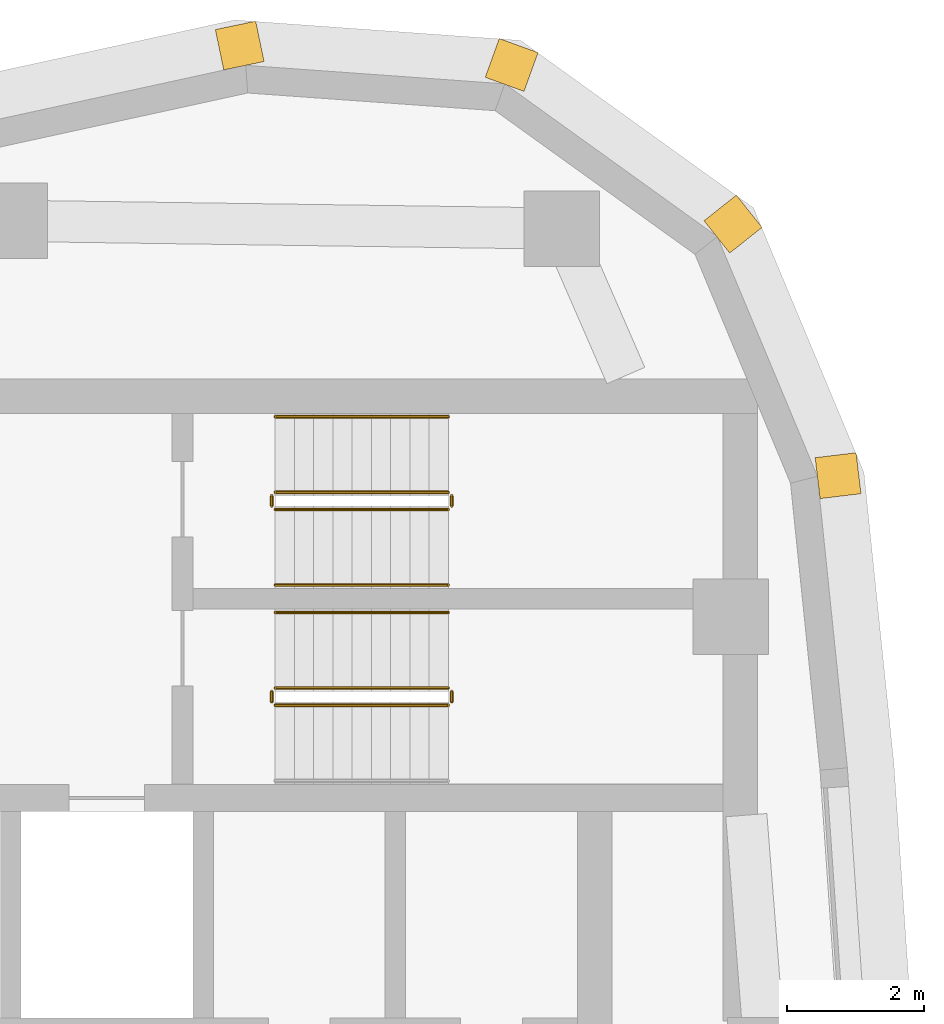
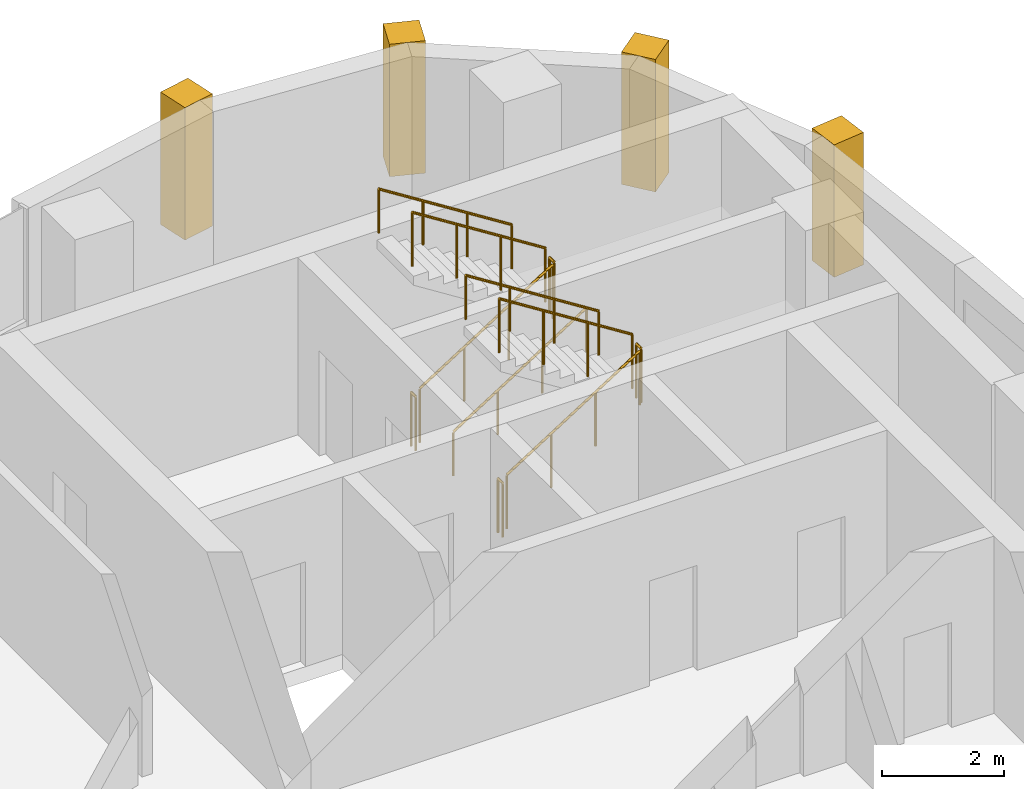
# One storey, part 13 of 13: 11 railings, 4 coverings.
"""IFC4 building model written with IfcOpenShell, lengths in metres."""

from ifc_helpers import new_model, si_unit, direction, frame, frame_2d, origin, origin_2d, place, context, subcontext, project, spatial, rectangle, circle, extrude, material, layer, layer_set, type_object, element, save


model = new_model("IFC4")

# Units and contexts
model_context = context("Model", 3, precision=1e-05, world=origin(), true_north=direction((0.0, 1.0)))
body_context = subcontext(model_context, "Body", "Model", "MODEL_VIEW")
ifc_project = project(units=[si_unit("LENGTHUNIT", "METRE"), si_unit("AREAUNIT", "SQUARE_METRE"), si_unit("VOLUMEUNIT", "CUBIC_METRE"), si_unit("PLANEANGLEUNIT", "RADIAN"), si_unit("MASSUNIT", "GRAM", prefix="KILO")], contexts=[model_context])

# Site, building, storey
site_placement = place(None, origin())
site = spatial("IfcSite", under=ifc_project, at=site_placement, CompositionType="ELEMENT")
building_placement = place(site_placement, origin())
building = spatial("IfcBuilding", under=site, at=building_placement, Name="Ostrand Prow Hotel Tower", CompositionType="ELEMENT")
storey_placement = place(building_placement, frame((0.0, 0.0, 282.10009765625)))
storey = spatial("IfcBuildingStorey", under=building, at=storey_placement, Name="L71", CompositionType="ELEMENT", Elevation=282.10009765625)

# Coverings
ifc_material_1 = material(Name="Limestone cladding", Category="masonry")
ifc_layer = layer(ifc_material_1, 0.60009765625)
ifc_layer_set = layer_set([ifc_layer], Name="Limestone cladding")
covering_type = type_object("IfcCoveringType", Name="Precast stone prow rib 600x600", PredefinedType="CLADDING", material=ifc_layer_set)
covering_1_placement = place(storey_placement, frame((65.0966796875, 14.806396484375, 0.599853515625), z_axis=(0.0, 0.0, 1.0), x_axis=(0.992867207971, 0.119225447515, 0.0)))
element("IfcCovering", 1, at=covering_1_placement, inside=storey, type_object=covering_type, Name="Stone corner rib 12a", PredefinedType="CLADDING", context=body_context, shape_type="SweptSolid", body=[
    extrude(rectangle(XDim=0.60009765625, YDim=0.60009765625, at=frame_2d((0.300048828125, 0.0))), origin(), (0.0, 0.0, 1.0), 2.650146484375),
])
for number, where, z_axis, x_axis, name in (
    (2, (63.630615234375, 18.318359375, 0.599853515625), (0.0, 0.0, 1.0), (0.782731736812, 0.622359243674, 0.0), "Stone corner rib 13a"),
    (3, (60.540283203125, 20.539794921875, 0.599853515625), (0.0, 0.0, 1.0), (0.340664419472, 0.940184956966, 0.0), "Stone corner rib 14a"),
):
    element("IfcCovering", number, at=place(storey_placement, frame(where, z_axis=z_axis, x_axis=x_axis)), inside=storey, type_object=covering_type, Name=name, PredefinedType="CLADDING", context=body_context, shape_type="SweptSolid", body=[
        extrude(rectangle(XDim=0.599853515625, YDim=0.60009765625, at=frame_2d((0.2998046875, 0.0))), origin(), (0.0, 0.0, 1.0), 2.650146484375),
    ])
covering_2_placement = place(storey_placement, frame((56.744384765625, 20.810546875, 0.599853515625), z_axis=(0.0, 0.0, 1.0), x_axis=(-0.203385687349, 0.979098698897, 0.0)))
element("IfcCovering", 4, at=covering_2_placement, inside=storey, type_object=covering_type, Name="Stone corner rib 14b", PredefinedType="CLADDING", context=body_context, shape_type="SweptSolid", body=[
    extrude(rectangle(XDim=0.60009765625, YDim=0.60009765625, at=frame_2d((0.300048828125, 0.0))), origin(), (0.0, 0.0, 1.0), 2.650146484375),
])

# Railings
ifc_material_2 = material(Name="Painted steel", Category="steel")
railing_type_1 = type_object("IfcRailingType", Name="Stair guard 1100", PredefinedType="GUARDRAIL", material=ifc_material_2)
railing_1_placement = place(storey_placement, frame((57.199951171875, 11.5, 0.177490234375)))
element("IfcRailing", 5, at=railing_1_placement, inside=storey, type_object=railing_type_1, Name="L71 ST1C stair guard 1", PredefinedType="GUARDRAIL", context=body_context, shape_type="SweptSolid", body=[
    extrude(circle(Radius=0.02392578125, at=origin_2d()), frame((0.0, 0.0, 1.076171875), z_axis=(0.84460694969, 0.0, 0.535386869969), x_axis=(0.0, 1.0, 0.0)), (0.0, 0.0, 1.0), 2.983642578125),
    extrude(circle(Radius=0.02099609375, at=origin_2d()), origin(), (0.0, 0.0, 1.0), 1.052001953125),
    extrude(circle(Radius=0.02099609375, at=origin_2d()), frame((0.840087890625, 0.0, 0.532470703125)), (0.0, 0.0, 1.0), 1.052001953125),
    extrude(circle(Radius=0.02099609375, at=origin_2d()), frame((1.679931640625, 0.0, 1.06494140625)), (0.0, 0.0, 1.0), 1.052001953125),
    extrude(circle(Radius=0.02099609375, at=origin_2d()), frame((2.52001953125, 0.0, 1.597412109375)), (0.0, 0.0, 1.0), 1.052001953125),
])
railing_2_placement = place(storey_placement, frame((59.77001953125, 11.550048828125, 1.77490234375)))
element("IfcRailing", 6, at=railing_2_placement, inside=storey, type_object=railing_type_1, Name="L71 ST1C stair guard 2", PredefinedType="GUARDRAIL", context=body_context, shape_type="SweptSolid", body=[
    extrude(circle(Radius=0.02392578125, at=origin_2d()), frame((0.0, 0.0, 1.076171875), z_axis=(0.0, 1.0, 0.0), x_axis=(-1.0, 0.0, 0.0)), (0.0, 0.0, 1.0), 0.14990234375),
    extrude(circle(Radius=0.02099609375, at=origin_2d()), origin(), (0.0, 0.0, 1.0), 1.052001953125),
    extrude(circle(Radius=0.02099609375, at=origin_2d()), frame((0.0, 0.14990234375, 0.0)), (0.0, 0.0, 1.0), 1.052001953125),
])
railing_3_placement = place(storey_placement, frame((59.719970703125, 11.75, 1.952392578125)))
element("IfcRailing", 7, at=railing_3_placement, inside=storey, type_object=railing_type_1, Name="L71 ST1C stair guard 3", PredefinedType="GUARDRAIL", context=body_context, shape_type="SweptSolid", body=[
    extrude(circle(Radius=0.02392578125, at=origin_2d()), frame((0.0, 0.0, 1.076171875), z_axis=(-0.84460694969, 0.0, 0.535386869969), x_axis=(0.0, -1.0, 0.0)), (0.0, 0.0, 1.0), 2.983642578125),
    extrude(circle(Radius=0.02099609375, at=origin_2d()), origin(), (0.0, 0.0, 1.0), 1.052001953125),
    extrude(circle(Radius=0.02099609375, at=origin_2d()), frame((-0.840087890625, 0.0, 0.532470703125)), (0.0, 0.0, 1.0), 1.052001953125),
    extrude(circle(Radius=0.02099609375, at=origin_2d()), frame((-1.679931640625, 0.0, 1.06494140625)), (0.0, 0.0, 1.0), 1.052001953125),
    extrude(circle(Radius=0.02099609375, at=origin_2d()), frame((-2.52001953125, 0.0, 1.597412109375)), (0.0, 0.0, 1.0), 1.052001953125),
])
railing_4_placement = place(storey_placement, frame((57.14990234375, 11.550048828125, 0.0)))
element("IfcRailing", 8, at=railing_4_placement, inside=storey, type_object=railing_type_1, Name="L71 ST1C stair guard 4", PredefinedType="GUARDRAIL", context=body_context, shape_type="SweptSolid", body=[
    extrude(circle(Radius=0.02392578125, at=origin_2d()), frame((0.0, 0.0, 1.076171875), z_axis=(0.0, 1.0, 0.0), x_axis=(-1.0, 0.0, 0.0)), (0.0, 0.0, 1.0), 0.14990234375),
    extrude(circle(Radius=0.02099609375, at=origin_2d()), origin(), (0.0, 0.0, 1.0), 1.052001953125),
    extrude(circle(Radius=0.02099609375, at=origin_2d()), frame((0.0, 0.14990234375, 0.0)), (0.0, 0.0, 1.0), 1.052001953125),
])
railing_5_placement = place(storey_placement, frame((57.199951171875, 14.35009765625, 0.177490234375)))
element("IfcRailing", 9, at=railing_5_placement, inside=storey, type_object=railing_type_1, Name="L71 ST3C stair guard 1", PredefinedType="GUARDRAIL", context=body_context, shape_type="SweptSolid", body=[
    extrude(circle(Radius=0.02392578125, at=origin_2d()), frame((0.0, 0.0, 1.076171875), z_axis=(0.84460694969, 0.0, 0.535386869969), x_axis=(0.0, 1.0, 0.0)), (0.0, 0.0, 1.0), 2.983642578125),
    extrude(circle(Radius=0.02099609375, at=origin_2d()), origin(), (0.0, 0.0, 1.0), 1.052001953125),
    extrude(circle(Radius=0.02099609375, at=origin_2d()), frame((0.840087890625, 0.0, 0.532470703125)), (0.0, 0.0, 1.0), 1.052001953125),
    extrude(circle(Radius=0.02099609375, at=origin_2d()), frame((1.679931640625, 0.0, 1.06494140625)), (0.0, 0.0, 1.0), 1.052001953125),
    extrude(circle(Radius=0.02099609375, at=origin_2d()), frame((2.52001953125, 0.0, 1.597412109375)), (0.0, 0.0, 1.0), 1.052001953125),
])
railing_6_placement = place(storey_placement, frame((59.77001953125, 14.39990234375, 1.77490234375)))
element("IfcRailing", 10, at=railing_6_placement, inside=storey, type_object=railing_type_1, Name="L71 ST3C stair guard 2", PredefinedType="GUARDRAIL", context=body_context, shape_type="SweptSolid", body=[
    extrude(circle(Radius=0.02392578125, at=origin_2d()), frame((0.0, 0.0, 1.076171875), z_axis=(0.0, 1.0, 0.0), x_axis=(-1.0, 0.0, 0.0)), (0.0, 0.0, 1.0), 0.150146484375),
    extrude(circle(Radius=0.02099609375, at=origin_2d()), origin(), (0.0, 0.0, 1.0), 1.052001953125),
    extrude(circle(Radius=0.02099609375, at=origin_2d()), frame((0.0, 0.150146484375, 0.0)), (0.0, 0.0, 1.0), 1.052001953125),
])
railing_7_placement = place(storey_placement, frame((59.719970703125, 14.60009765625, 1.952392578125)))
element("IfcRailing", 11, at=railing_7_placement, inside=storey, type_object=railing_type_1, Name="L71 ST3C stair guard 3", PredefinedType="GUARDRAIL", context=body_context, shape_type="SweptSolid", body=[
    extrude(circle(Radius=0.02392578125, at=origin_2d()), frame((0.0, 0.0, 1.076171875), z_axis=(-0.84460694969, 0.0, 0.535386869969), x_axis=(0.0, -1.0, 0.0)), (0.0, 0.0, 1.0), 2.983642578125),
    extrude(circle(Radius=0.02099609375, at=origin_2d()), origin(), (0.0, 0.0, 1.0), 1.052001953125),
    extrude(circle(Radius=0.02099609375, at=origin_2d()), frame((-0.840087890625, 0.0, 0.532470703125)), (0.0, 0.0, 1.0), 1.052001953125),
    extrude(circle(Radius=0.02099609375, at=origin_2d()), frame((-1.679931640625, 0.0, 1.06494140625)), (0.0, 0.0, 1.0), 1.052001953125),
    extrude(circle(Radius=0.02099609375, at=origin_2d()), frame((-2.52001953125, 0.0, 1.597412109375)), (0.0, 0.0, 1.0), 1.052001953125),
])
railing_8_placement = place(storey_placement, frame((57.14990234375, 14.39990234375, 0.0)))
element("IfcRailing", 12, at=railing_8_placement, inside=storey, type_object=railing_type_1, Name="L71 ST3C stair guard 4", PredefinedType="GUARDRAIL", context=body_context, shape_type="SweptSolid", body=[
    extrude(circle(Radius=0.02392578125, at=origin_2d()), frame((0.0, 0.0, 1.076171875), z_axis=(0.0, 1.0, 0.0), x_axis=(-1.0, 0.0, 0.0)), (0.0, 0.0, 1.0), 0.150146484375),
    extrude(circle(Radius=0.02099609375, at=origin_2d()), origin(), (0.0, 0.0, 1.0), 1.052001953125),
    extrude(circle(Radius=0.02099609375, at=origin_2d()), frame((0.0, 0.150146484375, 0.0)), (0.0, 0.0, 1.0), 1.052001953125),
])
ifc_material_3 = material(Name="Stainless steel", Category="steel")
railing_type_2 = type_object("IfcRailingType", Name="Stair handrail 900", PredefinedType="HANDRAIL", material=ifc_material_3)
railing_9_placement = place(storey_placement, frame((59.719970703125, 12.85009765625, 1.952392578125)))
element("IfcRailing", 13, at=railing_9_placement, inside=storey, type_object=railing_type_2, Name="L71 ST1C stair handrail 2", PredefinedType="HANDRAIL", context=body_context, shape_type="SweptSolid", body=[
    extrude(circle(Radius=0.02392578125, at=origin_2d()), frame((0.0, 0.0, 0.8759765625), z_axis=(-0.84460694969, 0.0, 0.535386869969), x_axis=(0.0, -1.0, 0.0)), (0.0, 0.0, 1.0), 2.983642578125),
    extrude(circle(Radius=0.02099609375, at=origin_2d()), origin(), (0.0, 0.0, 1.0), 0.851806640625),
    extrude(circle(Radius=0.02099609375, at=origin_2d()), frame((-0.840087890625, 0.0, 0.532470703125)), (0.0, 0.0, 1.0), 0.851806640625),
    extrude(circle(Radius=0.02099609375, at=origin_2d()), frame((-1.679931640625, 0.0, 1.06494140625)), (0.0, 0.0, 1.0), 0.851806640625),
    extrude(circle(Radius=0.02099609375, at=origin_2d()), frame((-2.52001953125, 0.0, 1.597412109375)), (0.0, 0.0, 1.0), 0.851806640625),
])
railing_10_placement = place(storey_placement, frame((57.199951171875, 13.25, 0.177490234375)))
element("IfcRailing", 14, at=railing_10_placement, inside=storey, type_object=railing_type_2, Name="L71 ST3C stair handrail 1", PredefinedType="HANDRAIL", context=body_context, shape_type="SweptSolid", body=[
    extrude(circle(Radius=0.02392578125, at=origin_2d()), frame((0.0, 0.0, 0.8759765625), z_axis=(0.84460694969, 0.0, 0.535386869969), x_axis=(0.0, 1.0, 0.0)), (0.0, 0.0, 1.0), 2.983642578125),
    extrude(circle(Radius=0.02099609375, at=origin_2d()), origin(), (0.0, 0.0, 1.0), 0.851806640625),
    extrude(circle(Radius=0.02099609375, at=origin_2d()), frame((0.840087890625, 0.0, 0.532470703125)), (0.0, 0.0, 1.0), 0.851806640625),
    extrude(circle(Radius=0.02099609375, at=origin_2d()), frame((1.679931640625, 0.0, 1.06494140625)), (0.0, 0.0, 1.0), 0.851806640625),
    extrude(circle(Radius=0.02099609375, at=origin_2d()), frame((2.52001953125, 0.0, 1.597412109375)), (0.0, 0.0, 1.0), 0.851806640625),
])
railing_11_placement = place(storey_placement, frame((59.719970703125, 15.699951171875, 1.952392578125)))
element("IfcRailing", 15, at=railing_11_placement, inside=storey, type_object=railing_type_2, Name="L71 ST3C stair handrail 2", PredefinedType="HANDRAIL", context=body_context, shape_type="SweptSolid", body=[
    extrude(circle(Radius=0.02392578125, at=origin_2d()), frame((0.0, 0.0, 0.8759765625), z_axis=(-0.84460694969, 0.0, 0.535386869969), x_axis=(0.0, -1.0, 0.0)), (0.0, 0.0, 1.0), 2.983642578125),
    extrude(circle(Radius=0.02099609375, at=origin_2d()), origin(), (0.0, 0.0, 1.0), 0.851806640625),
    extrude(circle(Radius=0.02099609375, at=origin_2d()), frame((-0.840087890625, 0.0, 0.532470703125)), (0.0, 0.0, 1.0), 0.851806640625),
    extrude(circle(Radius=0.02099609375, at=origin_2d()), frame((-1.679931640625, 0.0, 1.06494140625)), (0.0, 0.0, 1.0), 0.851806640625),
    extrude(circle(Radius=0.02099609375, at=origin_2d()), frame((-2.52001953125, 0.0, 1.597412109375)), (0.0, 0.0, 1.0), 0.851806640625),
])

save(model, "model.ifc")
